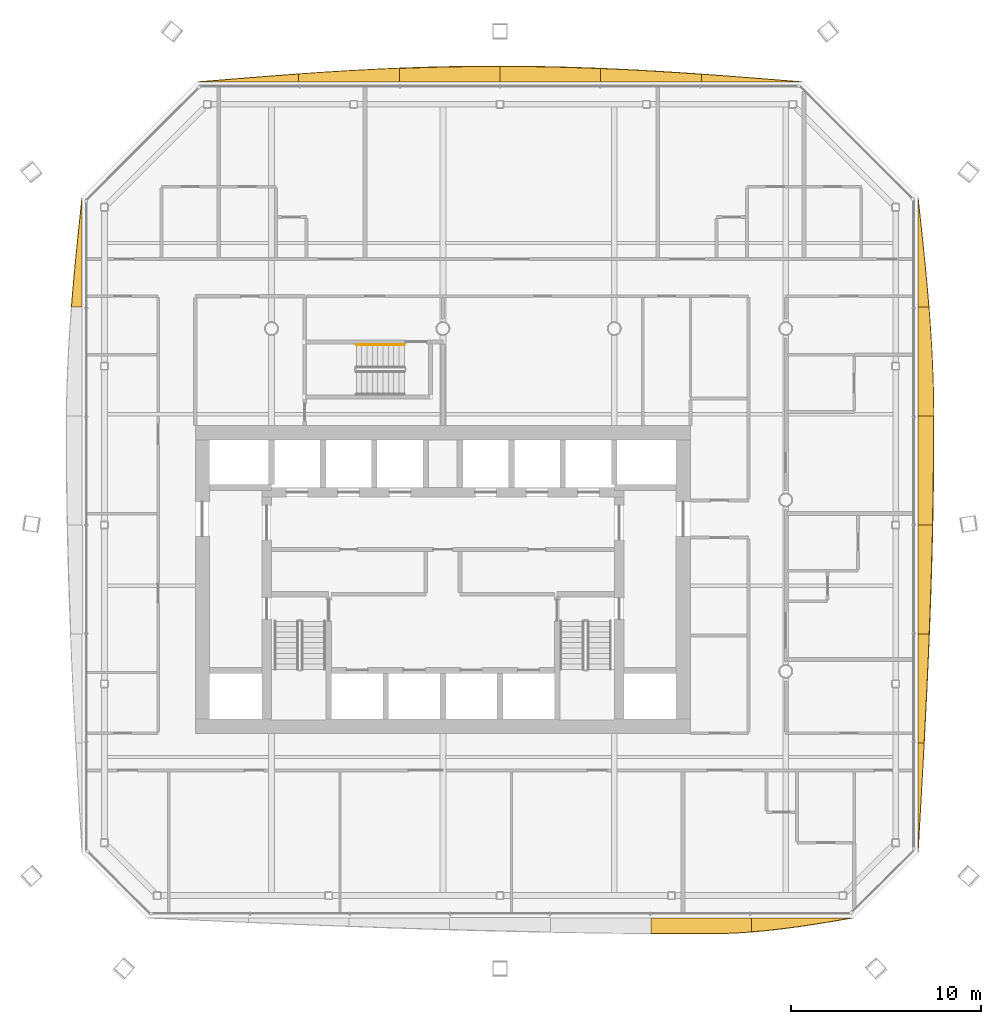
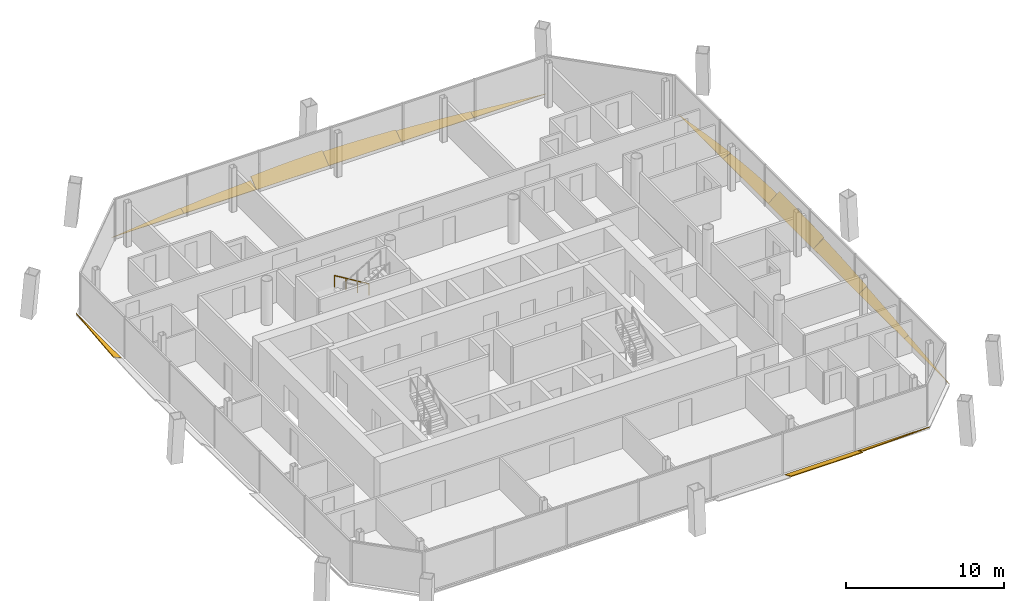
# One storey, part 18 of 18: 15 shading devices, 1 railing.
"""IFC4 building model written with IfcOpenShell, lengths in metres."""

from ifc_helpers import new_model, si_unit, direction, frame, origin, origin_2d, place, context, subcontext, project, spatial, polyline, circle, outline, extrude, material, layer, layer_set, type_object, element, save


model = new_model("IFC4")

# Units and contexts
model_context = context("Model", 3, precision=1e-05, world=origin(), true_north=direction((0.0, 1.0)))
body_context = subcontext(model_context, "Body", "Model", "MODEL_VIEW")
ifc_project = project(units=[si_unit("LENGTHUNIT", "METRE"), si_unit("AREAUNIT", "SQUARE_METRE"), si_unit("VOLUMEUNIT", "CUBIC_METRE"), si_unit("PLANEANGLEUNIT", "RADIAN"), si_unit("MASSUNIT", "GRAM", prefix="KILO")], contexts=[model_context])

# Site, building, storey
site_placement = place(None, origin())
site = spatial("IfcSite", under=ifc_project, at=site_placement, CompositionType="ELEMENT")
building_placement = place(site_placement, origin())
building = spatial("IfcBuilding", under=site, at=building_placement, Name="Tskaro Facet Tower", CompositionType="ELEMENT")
storey_placement = place(building_placement, frame((0.0, 0.0, 155.5)))
storey = spatial("IfcBuildingStorey", under=building, at=storey_placement, Name="L38", CompositionType="ELEMENT", Elevation=155.5)

# Shading devices
ifc_material_1 = material(Name="Bronze anodised aluminium 6063-T6", Category="aluminium")
ifc_layer = layer(ifc_material_1, 0.06005859375, Name="Bronze anodised aluminium 6063-T6")
ifc_layer_set = layer_set([ifc_layer], Name="Bronze anodised aluminium 6063-T6")
shading_device_type = type_object("IfcShadingDeviceType", Name="Bronze sun blade (FN1)", PredefinedType="USERDEFINED", material=ifc_layer_set)
shading_device_1_placement = place(storey_placement, frame((10.9267578125, -21.94873046875, 0.054443359375), z_axis=(1.2726848e-05, 0.422569016009, 0.90633074898), x_axis=(0.999999999919, -5.377972e-06, -1.1534733e-05)))
element("IfcShadingDevice", 1, at=shading_device_1_placement, inside=storey, type_object=shading_device_type, Name="Fin blade south 6", ObjectType="FIN", PredefinedType="USERDEFINED", context=body_context, shape_type="SweptSolid", body=[
    extrude(outline(polyline([(0.0, 0.0), (5.284667968322014, -4.476287884830709e-21), (5.28466796904937, -0.8078216310645769), (4.624023438570076, -0.8576292785144436), (3.963623047284481, -0.891596379668574), (3.3029785156358784, -0.9088527855330111), (2.9489746071508947, -0.9113600662511996), (2.6423339849918257, -0.911256899987517), (1.9819335948005774, -0.9101654788380293), (1.3212890602355398, -0.907864530647206), (0.6606445301798493, -0.904590267198743), (-8.085538660167131e-10, -0.9000033104452619), (0.0, 0.0)])), origin(), (0.0, 0.0, -1.0), 0.06005859375),
])
shading_device_2_placement = place(storey_placement, frame((16.21142578125, -21.944091796875, 0.052001953125), z_axis=(-4.938479e-06, 0.499926024468, 0.866068109351), x_axis=(0.999999999988, 2.468874e-06, 4.277059e-06)))
element("IfcShadingDevice", 2, at=shading_device_2_placement, inside=storey, type_object=shading_device_type, Name="Fin blade south 7", ObjectType="FIN", PredefinedType="USERDEFINED", context=body_context, shape_type="SweptSolid", body=[
    extrude(outline(polyline([(0.0, 0.0), (5.284667968685557, -2.2381439424153546e-21), (4.624023437494256, -0.12939591276433166), (3.963378905903957, -0.25649002499222173), (3.302978515787611, -0.3788911459897851), (2.64233398445202, -0.49417542296851164), (1.981689453167389, -0.6001631076440284), (1.3210449218148659, -0.6954308312125678), (0.660644531223201, -0.7774653507281762), (-1.3774943634143955e-10, -0.8453882344581797), (0.0, 0.0)])), origin(), (0.0, 0.0, -1.0), 0.06005859375),
])
shading_device_3_placement = place(storey_placement, frame((24.94873046875, -18.49609375, 0.054443359375), z_axis=(-0.422536007243, -1.6341299e-05, 0.906346138248), x_axis=(-6.904787e-06, 0.999999999866, 1.4810873e-05)))
element("IfcShadingDevice", 3, at=shading_device_3_placement, inside=storey, type_object=shading_device_type, Name="Fin blade east 1", ObjectType="FIN", PredefinedType="USERDEFINED", context=body_context, shape_type="SweptSolid", body=[
    extrude(outline(polyline([(0.0, 0.0), (5.726806639860363, 0.0), (5.726806641367901, -0.35399252887957355), (5.0109863296611925, -0.31172166162940024), (4.295166015779831, -0.26858065023134997), (3.5793457016540113, -0.2248939288030174), (2.863525388969473, -0.18044022143171484), (2.1477050779706737, -0.13576523814772462), (1.431884765041678, -0.09076582074613973), (0.7160644518682243, -0.045220693314272545), (0.0, 0.0)])), origin(), (0.0, 0.0, -1.0), 0.06005859375),
])
shading_device_4_placement = place(storey_placement, frame((24.944091796875, -12.769287109375, 0.052001953125), z_axis=(-0.500074678811, 7.507329e-06, 0.865982283627), x_axis=(3.754225e-06, 0.999999999972, -6.501214e-06)))
element("IfcShadingDevice", 4, at=shading_device_4_placement, inside=storey, type_object=shading_device_type, Name="Fin blade east 2", ObjectType="FIN", PredefinedType="USERDEFINED", context=body_context, shape_type="SweptSolid", body=[
    extrude(outline(polyline([(0.0, 0.0), (5.727050781088613, -2.4255003511586154e-21), (5.727050781403371, -0.6830760617586642), (5.010986328499656, -0.6489478674618947), (4.295166015483212, -0.6131848787954026), (3.579345702645605, -0.5759985172151577), (2.863525389986835, -0.5373887827211599), (2.1477050784234604, -0.4975670967693787), (1.4318847661223646, -0.45611061644787504), (0.7160644526588025, -0.4138977832138276), (-3.3435714368371377e-10, -0.3704729985219968), (0.0, 0.0)])), origin(), (0.0, 0.0, -1.0), 0.06005859375),
])
shading_device_5_placement = place(storey_placement, frame((24.939697265625, -7.042236328125, 0.049072265625), z_axis=(-0.573680152507, 3.945334e-06, 0.819079411659), x_axis=(2.26336e-06, 0.999999999992, -3.231542e-06)))
element("IfcShadingDevice", 5, at=shading_device_5_placement, inside=storey, type_object=shading_device_type, Name="Fin blade east 3", ObjectType="FIN", PredefinedType="USERDEFINED", context=body_context, shape_type="SweptSolid", body=[
    extrude(outline(polyline([(0.0, 0.0), (5.726806640580429, 0.0), (5.72680664077625, -0.9388766023405393), (5.010986328103398, -0.9192358483890122), (4.294921874882253, -0.8974950073661431), (3.579101562362814, -0.8736540792719322), (2.863281250156455, -0.8473730349159064), (2.147460937237851, -0.8191319621195231), (1.4316406251849048, -0.7886507436208137), (0.7158203124197146, -0.7562094966817465), (4.743642008675157e-11, -0.722208162421299), (0.0, 0.0)])), origin(), (0.0, 0.0, -1.0), 0.06005859375),
])
shading_device_6_placement = place(storey_placement, frame((24.935546875, -1.3154296875, 0.0458984375), z_axis=(-0.642902951522, 3.418912e-06, 0.765947645021), x_axis=(2.198029e-06, 0.999999999994, -2.618708e-06)))
element("IfcShadingDevice", 6, at=shading_device_6_placement, inside=storey, type_object=shading_device_type, Name="Fin blade east 4", ObjectType="FIN", PredefinedType="USERDEFINED", context=body_context, shape_type="SweptSolid", body=[
    extrude(outline(polyline([(0.0, 0.0), (5.72680664059153, 0.0), (5.7268066407096825, -1.0770043611002935), (5.360351562815339, -1.0782232330325878), (5.010986327905751, -1.078036234095814), (4.295166015592241, -1.0754415315028254), (3.57910156229941, -1.0700651273800748), (2.863281249813882, -1.0620940206643357), (2.1474609375106604, -1.051528211355608), (1.4316406248531166, -1.0381807005171177), (0.7158203129145064, -1.0224254860224131), (-1.7759097808317005e-11, -1.004045528726346), (0.0, 0.0)])), origin(), (0.0, 0.0, -1.0), 0.06005859375),
])
shading_device_7_placement = place(storey_placement, frame((24.953369140625, 4.411376953125, 0.056396484375), z_axis=(-0.341961478447, 5.553292e-06, 0.939713970966), x_axis=(1.899012e-06, 0.999999999985, -5.218506e-06)))
element("IfcShadingDevice", 7, at=shading_device_7_placement, inside=storey, type_object=shading_device_type, Name="Fin blade east 5", ObjectType="FIN", PredefinedType="USERDEFINED", context=body_context, shape_type="SweptSolid", body=[
    extrude(outline(polyline([(0.0, 0.0), (5.7268066405366955, 0.0), (5.726806640971807, -0.606351978386956), (5.010986328209813, -0.6640461632776207), (4.295166014976815, -0.7157957404631694), (3.5793457028936615, -0.7609748918530592), (2.863281249597681, -0.799437681780169), (2.1474609379597127, -0.8305582921539559), (1.431640625617085, -0.8541907873072988), (0.7158203121061714, -0.8701057448840013), (-2.492899235479552e-11, -0.878136191505913), (0.0, 0.0)])), origin(), (0.0, 0.0, -1.0), 0.06005859375),
])
shading_device_8_placement = place(storey_placement, frame((24.94873046875, 10.13818359375, 0.054443359375), z_axis=(-0.4225437786, 1.1825135e-05, 0.906342515293), x_axis=(4.996637e-06, 0.99999999993, -1.0717623e-05)))
element("IfcShadingDevice", 8, at=shading_device_8_placement, inside=storey, type_object=shading_device_type, Name="Fin blade east 6", ObjectType="FIN", PredefinedType="USERDEFINED", context=body_context, shape_type="SweptSolid", body=[
    extrude(outline(polyline([(0.0, 0.0), (5.726806640224599, 0.0), (5.010986326865751, -0.08650329937100618), (4.295166016300352, -0.17235772848127737), (3.5793457024289923, -0.2564569121899983), (2.863281248640021, -0.33837325526459705), (2.1474609377569718, -0.4172366124161756), (1.4316406254952152, -0.49238315856024467), (0.7158203134283186, -0.5629427484079064), (-8.834818618170271e-10, -0.6284728319028345), (0.0, 0.0)])), origin(), (0.0, 0.0, -1.0), 0.06005859375),
])
shading_device_9_placement = place(storey_placement, frame((18.864990234375, 21.94873046875, 0.054443359375), z_axis=(1.736663e-06, -0.422540992672, 0.906343814184), x_axis=(-0.999999999998, -7.33811e-07, 1.574014e-06)))
element("IfcShadingDevice", 9, at=shading_device_9_placement, inside=storey, type_object=shading_device_type, Name="Fin blade north 1", ObjectType="FIN", PredefinedType="USERDEFINED", context=body_context, shape_type="SweptSolid", body=[
    extrude(outline(polyline([(0.0, 0.0), (5.288330078117025, 0.0), (5.288330078132753, -0.4506580018105432), (4.627197265625045, -0.3986675121918367), (3.9663085938435656, -0.34481861689019266), (3.305175781180011, -0.289553866596131), (2.6440429686436606, -0.232976420731691), (1.9831542968854887, -0.1756319894094318), (1.3220214842712155, -0.11741741320731428), (0.6611328126402479, -0.05876028631467674), (0.0, 0.0)])), origin(), (0.0, 0.0, -1.0), 0.06005859375),
])
shading_device_10_placement = place(storey_placement, frame((13.57666015625, 21.944091796875, 0.052001953125), z_axis=(-1.2184521e-05, -0.499973107599, 0.866040929477), x_axis=(-0.999999999926, 6.091933e-06, -1.0552294e-05)))
element("IfcShadingDevice", 10, at=shading_device_10_placement, inside=storey, type_object=shading_device_type, Name="Fin blade north 2", ObjectType="FIN", PredefinedType="USERDEFINED", context=body_context, shape_type="SweptSolid", body=[
    extrude(outline(polyline([(0.0, 0.0), (5.28833007773244, 4.479389812127783e-21), (5.288330078741023, -0.8200116972061904), (4.627197265974648, -0.7867619411014237), (3.966308592930546, -0.7504540090028167), (3.3051757794477084, -0.7107544013895738), (2.644042969125693, -0.6680859898093229), (1.9831542974369938, -0.6226929017560267), (1.3220214846189369, -0.574786573003499), (0.6611328119214852, -0.52436700355174), (-4.1803635094970096e-10, -0.4716456291745633), (0.0, 0.0)])), origin(), (0.0, 0.0, -1.0), 0.06005859375),
])
shading_device_11_placement = place(storey_placement, frame((8.288330078125, 21.939697265625, 0.049072265625), z_axis=(-4.34981e-07, -0.573667413295, 0.819088334017), x_axis=(-1.0, 2.49534e-07, -3.56288e-07)))
element("IfcShadingDevice", 11, at=shading_device_11_placement, inside=storey, type_object=shading_device_type, Name="Fin blade north 3", ObjectType="FIN", PredefinedType="USERDEFINED", context=body_context, shape_type="SweptSolid", body=[
    extrude(outline(polyline([(0.0, 0.0), (5.2883300781245, 0.0), (5.288330078155997, -1.0082993007999923), (4.627197265620876, -1.0047791837798339), (3.9663085937016356, -0.9973989214808958), (3.3051757812613216, -0.9856784301237329), (2.644042968750966, -0.9698978207499931), (1.9831542968825524, -0.9499170378388526), (1.3220214843800189, -0.9260761096489324), (0.6611328124933651, -0.8983750361802325), (3.3512325581824923e-11, -0.8670137901705504), (0.0, 0.0)])), origin(), (0.0, 0.0, -1.0), 0.06005859375),
])
shading_device_12_placement = place(storey_placement, frame((3.0, 21.935546875, 0.0458984375), z_axis=(9.99136e-06, -0.642872523223, 0.765973184117), x_axis=(-0.99999999995, -6.42317e-06, 7.653113e-06)))
element("IfcShadingDevice", 12, at=shading_device_12_placement, inside=storey, type_object=shading_device_type, Name="Fin blade north 4", ObjectType="FIN", PredefinedType="USERDEFINED", context=body_context, shape_type="SweptSolid", body=[
    extrude(outline(polyline([(0.0, 0.0), (5.2883300778610405, 0.0), (5.2883300783458775, -0.9406206314801022), (4.627197265044208, -0.9733799759546728), (3.9663085940692064, -1.00213874019815), (3.3051757801337462, -1.026239065139753), (2.6442871097928324, -1.0458078482068143), (1.9831542967917388, -1.0610621484435367), (1.322021484591488, -1.0712839990345593), (0.6611328125491907, -1.07700436162333), (0.19042968690536535, -1.0782232362098494), (-5.851296141566898e-10, -1.0782232362098494), (0.0, 0.0)])), origin(), (0.0, 0.0, -1.0), 0.06005859375),
])
shading_device_13_placement = place(storey_placement, frame((-2.288330078125, 21.953369140625, 0.056396484375), z_axis=(-1.1060558e-05, -0.341853707279, 0.939753181797), x_axis=(-0.999999999939, 3.781093e-06, -1.0394195e-05)))
element("IfcShadingDevice", 13, at=shading_device_13_placement, inside=storey, type_object=shading_device_type, Name="Fin blade north 5", ObjectType="FIN", PredefinedType="USERDEFINED", context=body_context, shape_type="SweptSolid", body=[
    extrude(outline(polyline([(0.0, 0.0), (5.288330077801524, 2.2396949060638916e-21), (5.288330078841729, -0.4444703857649598), (4.627197265754022, -0.4935917864422448), (3.9663085944424057, -0.5408567824821078), (3.3051757808875566, -0.5855770780970582), (2.64428710887709, -0.6276692129093369), (1.9831542962379172, -0.6669037549897804), (1.3220214845181413, -0.7035101362675522), (0.6611328115733927, -0.7368000609551617), (-3.8553542683109383e-10, -0.7669195006040133), (0.0, 0.0)])), origin(), (0.0, 0.0, -1.0), 0.06005859375),
])
shading_device_14_placement = place(storey_placement, frame((-7.57666015625, 21.94873046875, 0.054443359375), z_axis=(-1.0566142e-05, -0.422343254098, 0.906435974356), x_axis=(-0.999999999944, 4.462539e-06, -9.577531e-06)))
element("IfcShadingDevice", 14, at=shading_device_14_placement, inside=storey, type_object=shading_device_type, Name="Fin blade north 6", ObjectType="FIN", PredefinedType="USERDEFINED", context=body_context, shape_type="SweptSolid", body=[
    extrude(outline(polyline([(0.0, 0.0), (5.288330077829796, 0.0), (4.627197266232289, -0.06029427653702816), (3.9663085941702807, -0.1203672552287423), (3.3051757816425766, -0.17989452708380252), (2.6442871088096616, -0.23865479425689487), (1.9831542956703418, -0.29632364775667946), (1.3220214840983802, -0.3525766785918164), (0.6611328123804988, -0.40751699790833157), (-5.739846493467969e-10, -0.46059889886957106), (0.0, 0.0)])), origin(), (0.0, 0.0, -1.0), 0.06005859375),
])
shading_device_15_placement = place(storey_placement, frame((-18.94873046875, 15.864990234375, 0.054443359375), z_axis=(0.422556532799, -1.2765626e-05, 0.906336569066), x_axis=(-5.394199e-06, -0.999999999919, -1.1569954e-05)))
element("IfcShadingDevice", 15, at=shading_device_15_placement, inside=storey, type_object=shading_device_type, Name="Fin blade west 1", ObjectType="FIN", PredefinedType="USERDEFINED", context=body_context, shape_type="SweptSolid", body=[
    extrude(outline(polyline([(0.0, 0.0), (5.726806640158376, 0.0), (5.726806641090987, -0.6114377010949031), (5.010986328948906, -0.546777762552214), (4.295166014191664, -0.4776340306977065), (3.5793457022778403, -0.4043458894682572), (2.863525390191932, -0.3275622124488139), (2.1474609384350924, -0.24804998358475056), (1.4316406252417757, -0.16645807646101501), (0.7158203111131353, -0.08355347502298138), (0.0, 0.0)])), origin(), (0.0, 0.0, -1.0), 0.06005859375),
])

# Railing
ifc_material_2 = material(Name="Stainless steel", Category="steel")
railing_type = type_object("IfcRailingType", Name="RL-HANDRAIL-900", PredefinedType="HANDRAIL", material=ifc_material_2)
railing_placement = place(storey_placement, frame((-2.02490234375, 8.14990234375, 0.169921875)))
element("IfcRailing", 16, at=railing_placement, inside=storey, type_object=railing_type, Name="L38 ST-3 stair handrail 1", PredefinedType="HANDRAIL", context=body_context, shape_type="SweptSolid", body=[
    extrude(circle(Radius=0.02392578125, at=origin_2d()), frame((0.0, 0.0, 0.8759765625), z_axis=(-0.85478489116, 0.0, 0.518982456201), x_axis=(0.0, -1.0, 0.0)), (0.0, 0.0, 1.0), 2.9482421875),
    extrude(circle(Radius=0.02099609375, at=origin_2d()), origin(), (0.0, 0.0, 1.0), 0.851806640625),
    extrude(circle(Radius=0.02099609375, at=origin_2d()), frame((-0.840087890625, 0.0, 0.510009765625)), (0.0, 0.0, 1.0), 0.851806640625),
    extrude(circle(Radius=0.02099609375, at=origin_2d()), frame((-1.679931640625, 0.0, 1.02001953125)), (0.0, 0.0, 1.0), 0.851806640625),
    extrude(circle(Radius=0.02099609375, at=origin_2d()), frame((-2.52001953125, 0.0, 1.530029296875)), (0.0, 0.0, 1.0), 0.851806640625),
])

save(model, "model.ifc")
